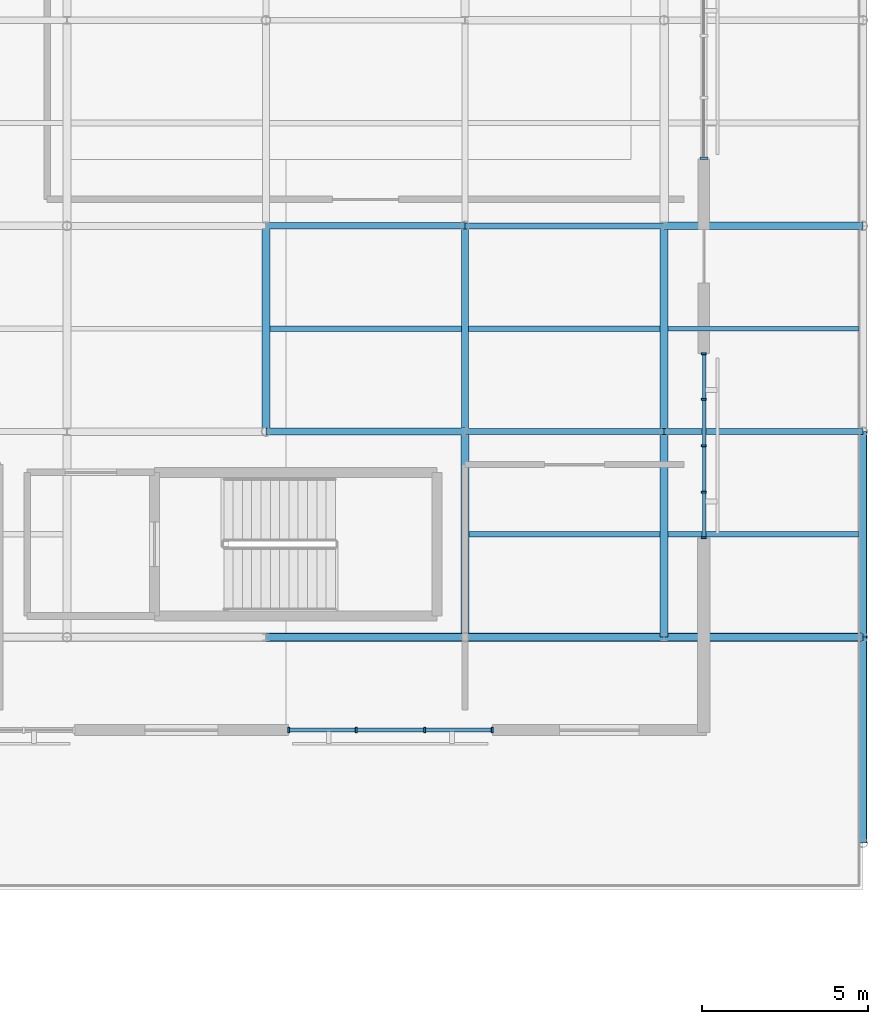
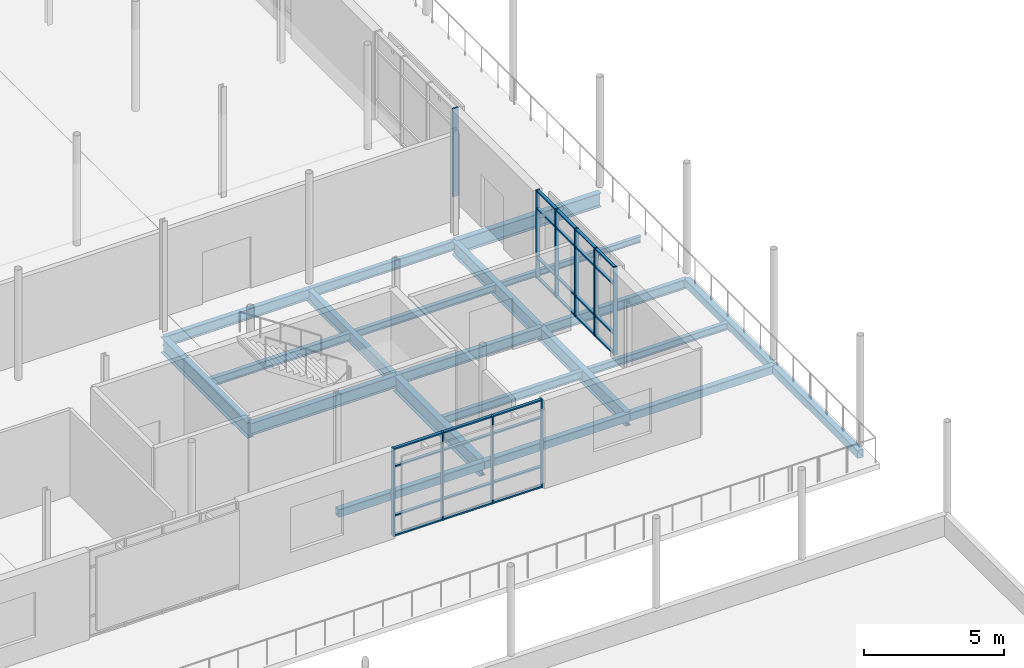
# One storey, part 35 of 66: 38 members, 21 beams, 3 elements without a shape of their own.
"""IFC4 building model written with IfcOpenShell, lengths in metres."""

from ifc_helpers import new_model, si_unit, direction, frame, origin, origin_2d, place, context, subcontext, project, spatial, rectangle, hollow_rectangle, i_section, extrude, material, layer, layer_set, material_profile, profile_set, type_object, element, aggregate, save


model = new_model("IFC4")

# Units and contexts
model_context = context("Model", 3, precision=1e-05, world=origin(), true_north=direction((0.0, 1.0)))
body_context = subcontext(model_context, "Body", "Model", "MODEL_VIEW")
ifc_project = project(units=[si_unit("LENGTHUNIT", "METRE"), si_unit("AREAUNIT", "SQUARE_METRE"), si_unit("VOLUMEUNIT", "CUBIC_METRE"), si_unit("PLANEANGLEUNIT", "RADIAN"), si_unit("MASSUNIT", "GRAM", prefix="KILO")], contexts=[model_context])

# Site, building, storey
site_placement = place(None, origin())
site = spatial("IfcSite", under=ifc_project, at=site_placement, CompositionType="ELEMENT")
building_placement = place(site_placement, origin())
building = spatial("IfcBuilding", under=site, at=building_placement, Name="Mirzam Square Science Centre", CompositionType="ELEMENT")
storey_placement = place(building_placement, frame((0.0, 0.0, 15.60009765625)))
storey = spatial("IfcBuildingStorey", under=building, at=storey_placement, Name="L03", CompositionType="ELEMENT", Elevation=15.60009765625)

# Beams
ifc_material_1 = material(Name="Steel S355", Category="steel")
ifc_material_profile_1 = material_profile(ifc_material_1, i_section(OverallWidth=0.1787109375, OverallDepth=0.409423828125, WebThickness=0.0087890625, FlangeThickness=0.014404296875, FilletRadius=0.01025390625, at=origin_2d()), Name="406x178x67UB")
ifc_profile_set_1 = profile_set([ifc_material_profile_1], Name="Steel S355")
beam_type_1 = type_object("IfcBeamType", Name="BM-UB406", PredefinedType="BEAM", material=ifc_profile_set_1)
for number, where, z_axis, x_axis, name in (
    (1, (156.0, 55.800048828125, -0.454833984375), (1.0, 0.0, 0.0), (0.0, 1.0, 0.0), "L03 girder X27-10"),
    (2, (150.0, 62.0, -0.454833984375), (1.0, 0.0, 0.0), (0.0, 1.0, 0.0), "L03 girder X26-11"),
):
    element("IfcBeam", number, at=place(storey_placement, frame(where, z_axis=z_axis, x_axis=x_axis)), inside=storey, type_object=beam_type_1, Name=name, PredefinedType="BEAM", context=body_context, shape_type="SweptSolid", body=[
        extrude(i_section(OverallWidth=0.1787109375, OverallDepth=0.409423828125, WebThickness=0.0087890625, FlangeThickness=0.014404296875, FilletRadius=0.01025390625, at=origin_2d()), origin(), (0.0, 0.0, 1.0), 6.0),
    ])
ifc_material_profile_2 = material_profile(ifc_material_1, i_section(OverallWidth=0.19140625, OverallDepth=0.4599609375, WebThickness=0.010009765625, FlangeThickness=0.01611328125, FilletRadius=0.01025390625, at=origin_2d()), Name="457x191x82UB")
ifc_profile_set_2 = profile_set([ifc_material_profile_2], Name="Steel S355")
beam_type_2 = type_object("IfcBeamType", Name="BM-UB457", PredefinedType="BEAM", material=ifc_profile_set_2)
for number, where, z_axis, x_axis, name in (
    (3, (150.0, 55.800048828125, -0.47998046875), (1.0, 0.0, 0.0), (0.0, 1.0, 0.0), "L03 girder X26-10"),
    (4, (144.0, 62.0, -0.47998046875), (1.0, 0.0, 0.0), (0.0, 1.0, 0.0), "L03 girder X25-11"),
):
    element("IfcBeam", number, at=place(storey_placement, frame(where, z_axis=z_axis, x_axis=x_axis)), inside=storey, type_object=beam_type_2, Name=name, PredefinedType="BEAM", context=body_context, shape_type="SweptSolid", body=[
        extrude(i_section(OverallWidth=0.19140625, OverallDepth=0.4599609375, WebThickness=0.010009765625, FlangeThickness=0.01611328125, FilletRadius=0.01025390625, at=origin_2d()), origin(), (0.0, 0.0, 1.0), 6.0),
    ])
ifc_material_profile_3 = material_profile(ifc_material_1, i_section(OverallWidth=0.2099609375, OverallDepth=0.53662109375, WebThickness=0.0107421875, FlangeThickness=0.017333984375, FilletRadius=0.0126953125, at=origin_2d()), Name="533x210x101UB")
ifc_profile_set_3 = profile_set([ifc_material_profile_3], Name="Steel S355")
beam_type_3 = type_object("IfcBeamType", Name="BM-UB533", PredefinedType="BEAM", material=ifc_profile_set_3)
beam_1_placement = place(storey_placement, frame((144.0, 55.800048828125, -0.5185546875), z_axis=(1.0, 0.0, 0.0), x_axis=(0.0, 1.0, 0.0)))
element("IfcBeam", 5, at=beam_1_placement, inside=storey, type_object=beam_type_3, Name="L03 girder X25-10", PredefinedType="BEAM", context=body_context, shape_type="SweptSolid", body=[
    extrude(i_section(OverallWidth=0.2099609375, OverallDepth=0.53662109375, WebThickness=0.0107421875, FlangeThickness=0.017333984375, FilletRadius=0.0126953125, at=origin_2d()), origin(), (0.0, 0.0, 1.0), 6.0),
])
beam_2_placement = place(storey_placement, frame((150.0, 55.800048828125, -0.5185546875), z_axis=(0.0, 1.0, 0.0), x_axis=(-1.0, 0.0, 0.0)))
element("IfcBeam", 6, at=beam_2_placement, inside=storey, type_object=beam_type_3, Name="L03 girder Y26-10", PredefinedType="BEAM", context=body_context, shape_type="SweptSolid", body=[
    extrude(i_section(OverallWidth=0.2099609375, OverallDepth=0.53662109375, WebThickness=0.0107421875, FlangeThickness=0.017333984375, FilletRadius=0.0126953125, at=origin_2d()), origin(), (0.0, 0.0, 1.0), 6.199951171875),
])
ifc_material_profile_4 = material_profile(ifc_material_1, i_section(OverallWidth=0.22900390625, OverallDepth=0.6123046875, WebThickness=0.011962890625, FlangeThickness=0.01953125, FilletRadius=0.0126953125, at=origin_2d()), Name="610x229x125UB")
ifc_profile_set_4 = profile_set([ifc_material_profile_4], Name="Steel S355")
beam_type_4 = type_object("IfcBeamType", Name="BM-UB610", PredefinedType="BEAM", material=ifc_profile_set_4)
beam_3_placement = place(storey_placement, frame((156.0, 62.0, -0.55615234375), z_axis=(1.0, 0.0, 0.0), x_axis=(0.0, 1.0, 0.0)))
element("IfcBeam", 7, at=beam_3_placement, inside=storey, type_object=beam_type_4, Name="L03 girder X27-11", PredefinedType="BEAM", context=body_context, shape_type="SweptSolid", body=[
    extrude(i_section(OverallWidth=0.22900390625, OverallDepth=0.6123046875, WebThickness=0.011962890625, FlangeThickness=0.01953125, FilletRadius=0.0126953125, at=origin_2d()), origin(), (0.0, 0.0, 1.0), 6.0),
])
for number, where, z_axis, x_axis, name in (
    (8, (156.0, 49.60009765625, -0.55615234375), (0.0, 1.0, 0.0), (-1.0, 0.0, 0.0), "L03 girder Y27-9"),
    (9, (156.0, 55.800048828125, -0.55615234375), (0.0, 1.0, 0.0), (-1.0, 0.0, 0.0), "L03 girder Y27-10"),
):
    element("IfcBeam", number, at=place(storey_placement, frame(where, z_axis=z_axis, x_axis=x_axis)), inside=storey, type_object=beam_type_4, Name=name, PredefinedType="BEAM", context=body_context, shape_type="SweptSolid", body=[
        extrude(i_section(OverallWidth=0.22900390625, OverallDepth=0.6123046875, WebThickness=0.011962890625, FlangeThickness=0.01953125, FilletRadius=0.0126953125, at=origin_2d()), origin(), (0.0, 0.0, 1.0), 6.199951171875),
    ])
ifc_material_profile_5 = material_profile(ifc_material_1, i_section(OverallWidth=0.25439453125, OverallDepth=0.6875, WebThickness=0.01318359375, FlangeThickness=0.02099609375, FilletRadius=0.01513671875, at=origin_2d()), Name="686x254x152UB")
ifc_profile_set_5 = profile_set([ifc_material_profile_5], Name="Steel S355")
beam_type_5 = type_object("IfcBeamType", Name="BM-UB686", PredefinedType="BEAM", material=ifc_profile_set_5)
for number, where, z_axis, x_axis, name in (
    (10, (144.0, 55.800048828125, -0.593994140625), (0.0, 1.0, 0.0), (-1.0, 0.0, 0.0), "L03 girder Y25-10"),
    (11, (150.0, 49.60009765625, -0.593994140625), (0.0, 1.0, 0.0), (-1.0, 0.0, 0.0), "L03 girder Y26-9"),
):
    element("IfcBeam", number, at=place(storey_placement, frame(where, z_axis=z_axis, x_axis=x_axis)), inside=storey, type_object=beam_type_5, Name=name, PredefinedType="BEAM", context=body_context, shape_type="SweptSolid", body=[
        extrude(i_section(OverallWidth=0.25439453125, OverallDepth=0.6875, WebThickness=0.01318359375, FlangeThickness=0.02099609375, FilletRadius=0.01513671875, at=origin_2d()), origin(), (0.0, 0.0, 1.0), 6.199951171875),
    ])

# Curtain wall, members
ifc_material_2 = material(Name="Anodised Aluminium and Low-E Solar Glass", Category="aluminium")
ifc_layer_1 = layer(ifc_material_2, 0.199951171875)
ifc_layer_set_1 = layer_set([ifc_layer_1], Name="CW-PARK-B")
curtain_wall_type_1 = type_object("IfcCurtainWallType", Name="CW-PARK-B", PredefinedType="USERDEFINED", material=ifc_layer_set_1)
curtain_wall_1_placement = place(storey_placement, origin())
curtain_wall_1 = element("IfcCurtainWall", 12, at=curtain_wall_1_placement, inside=storey, type_object=curtain_wall_type_1, Name="L03 unitised curtain wall 126", ObjectType="UNITISED CURTAIN WALL", PredefinedType="USERDEFINED")
ifc_material_3 = material(Name="Anodised Architectural Aluminium 6063-T6", Category="aluminium")
ifc_material_profile_6 = material_profile(ifc_material_3, rectangle(XDim=0.06005859375, YDim=0.159912109375, at=origin_2d()), Name="ALU-MULL-160x60x4")
ifc_profile_set_6 = profile_set([ifc_material_profile_6], Name="Anodised Architectural Aluminium 6063-T6")
member_type_1 = type_object("IfcMemberType", Name="CWM-160", PredefinedType="MULLION", material=ifc_profile_set_6)
member_1_placement = place(storey_placement, frame((144.68505859375, 46.800048828125, 0.0), z_axis=(0.0, 0.0, 1.0), x_axis=(1.0, 0.0, 0.0)))
member_1 = element("IfcMember", 13, at=member_1_placement, type_object=member_type_1, Name="CW-02 mullion 1", PredefinedType="MULLION", context=body_context, shape_type="SweptSolid", body=[
    extrude(rectangle(XDim=0.06005859375, YDim=0.159912109375, at=origin_2d()), origin(), (0.0, 0.0, 1.0), 3.83984375),
])
member_2_placement = place(storey_placement, frame((146.71826171875, 46.800048828125, 0.0), z_axis=(0.0, 0.0, 1.0), x_axis=(1.0, 0.0, 0.0)))
member_2 = element("IfcMember", 14, at=member_2_placement, type_object=member_type_1, Name="CW-02 mullion 2", PredefinedType="MULLION", context=body_context, shape_type="SweptSolid", body=[
    extrude(rectangle(XDim=0.06005859375, YDim=0.159912109375, at=origin_2d()), origin(), (0.0, 0.0, 1.0), 3.83984375),
])
member_3_placement = place(storey_placement, frame((148.78173828125, 46.800048828125, 0.0), z_axis=(0.0, 0.0, 1.0), x_axis=(1.0, 0.0, 0.0)))
member_3 = element("IfcMember", 15, at=member_3_placement, type_object=member_type_1, Name="CW-02 mullion 3", PredefinedType="MULLION", context=body_context, shape_type="SweptSolid", body=[
    extrude(rectangle(XDim=0.06005859375, YDim=0.159912109375, at=origin_2d()), origin(), (0.0, 0.0, 1.0), 3.83984375),
])
member_4_placement = place(storey_placement, frame((150.81494140625, 46.800048828125, 0.0), z_axis=(0.0, 0.0, 1.0), x_axis=(1.0, 0.0, 0.0)))
member_4 = element("IfcMember", 16, at=member_4_placement, type_object=member_type_1, Name="CW-02 mullion 4", PredefinedType="MULLION", context=body_context, shape_type="SweptSolid", body=[
    extrude(rectangle(XDim=0.06005859375, YDim=0.159912109375, at=origin_2d()), origin(), (0.0, 0.0, 1.0), 3.83984375),
])

ifc_layer_2 = layer(ifc_material_2, 0.159912109375)
ifc_layer_set_2 = layer_set([ifc_layer_2], Name="CW-COURT-B")
curtain_wall_type_2 = type_object("IfcCurtainWallType", Name="CW-COURT-B", PredefinedType="USERDEFINED", material=ifc_layer_set_2)
curtain_wall_2_placement = place(storey_placement, origin())
curtain_wall_2 = element("IfcCurtainWall", 17, at=curtain_wall_2_placement, inside=storey, type_object=curtain_wall_type_2, Name="L03 unitised curtain wall 127", ObjectType="UNITISED CURTAIN WALL", PredefinedType="USERDEFINED")
member_5_placement = place(storey_placement, frame((157.199951171875, 52.599365234375, 0.0), z_axis=(0.0, 0.0, 1.0), x_axis=(0.0, 1.0, 0.0)))
member_5 = element("IfcMember", 18, at=member_5_placement, type_object=member_type_1, Name="CW-04 mullion 1", PredefinedType="MULLION", context=body_context, shape_type="SweptSolid", body=[
    extrude(rectangle(XDim=0.06005859375, YDim=0.159912109375, at=origin_2d()), origin(), (0.0, 0.0, 1.0), 3.83984375),
])
member_6_placement = place(storey_placement, frame((157.199951171875, 53.970458984375, 0.0), z_axis=(0.0, 0.0, 1.0), x_axis=(0.0, 1.0, 0.0)))
member_6 = element("IfcMember", 19, at=member_6_placement, type_object=member_type_1, Name="CW-04 mullion 2", PredefinedType="MULLION", context=body_context, shape_type="SweptSolid", body=[
    extrude(rectangle(XDim=0.06005859375, YDim=0.159912109375, at=origin_2d()), origin(), (0.0, 0.0, 1.0), 3.83984375),
])
member_7_placement = place(storey_placement, frame((157.199951171875, 55.371337890625, 0.0), z_axis=(0.0, 0.0, 1.0), x_axis=(0.0, 1.0, 0.0)))
member_7 = element("IfcMember", 20, at=member_7_placement, type_object=member_type_1, Name="CW-04 mullion 3", PredefinedType="MULLION", context=body_context, shape_type="SweptSolid", body=[
    extrude(rectangle(XDim=0.06005859375, YDim=0.159912109375, at=origin_2d()), origin(), (0.0, 0.0, 1.0), 3.83984375),
])
member_8_placement = place(storey_placement, frame((157.199951171875, 56.7724609375, 0.0), z_axis=(0.0, 0.0, 1.0), x_axis=(0.0, 1.0, 0.0)))
member_8 = element("IfcMember", 21, at=member_8_placement, type_object=member_type_1, Name="CW-04 mullion 4", PredefinedType="MULLION", context=body_context, shape_type="SweptSolid", body=[
    extrude(rectangle(XDim=0.06005859375, YDim=0.159912109375, at=origin_2d()), origin(), (0.0, 0.0, 1.0), 3.83984375),
])
member_9_placement = place(storey_placement, frame((157.199951171875, 58.1435546875, 0.0), z_axis=(0.0, 0.0, 1.0), x_axis=(0.0, 1.0, 0.0)))
member_9 = element("IfcMember", 22, at=member_9_placement, type_object=member_type_1, Name="CW-04 mullion 5", PredefinedType="MULLION", context=body_context, shape_type="SweptSolid", body=[
    extrude(rectangle(XDim=0.06005859375, YDim=0.159912109375, at=origin_2d()), origin(), (0.0, 0.0, 1.0), 3.83984375),
])

# Curtain wall, member
ifc_layer_3 = layer(ifc_material_2, 0.239990234375)
ifc_layer_set_3 = layer_set([ifc_layer_3], Name="CW-EAST-B")
curtain_wall_type_3 = type_object("IfcCurtainWallType", Name="CW-EAST-B", PredefinedType="USERDEFINED", material=ifc_layer_set_3)
curtain_wall_3_placement = place(storey_placement, origin())
curtain_wall_3 = element("IfcCurtainWall", 23, at=curtain_wall_3_placement, inside=storey, type_object=curtain_wall_type_3, Name="L03 unitised curtain wall 128", ObjectType="UNITISED CURTAIN WALL", PredefinedType="USERDEFINED")
ifc_material_profile_7 = material_profile(ifc_material_3, rectangle(XDim=0.074951171875, YDim=0.239990234375, at=origin_2d()), Name="ALU-MULL-240x75x5")
ifc_profile_set_7 = profile_set([ifc_material_profile_7], Name="Anodised Architectural Aluminium 6063-T6")
member_type_2 = type_object("IfcMemberType", Name="CWM-240", PredefinedType="MULLION", material=ifc_profile_set_7)
member_10_placement = place(storey_placement, frame((157.199951171875, 64.035400390625, 0.0), z_axis=(0.0, 0.0, 1.0), x_axis=(0.0, 1.0, 0.0)))
member_10 = element("IfcMember", 24, at=member_10_placement, type_object=member_type_2, Name="CW-06 mullion 1", PredefinedType="MULLION", context=body_context, shape_type="SweptSolid", body=[
    extrude(rectangle(XDim=0.074951171875, YDim=0.239990234375, at=origin_2d()), origin(), (0.0, 0.0, 1.0), 3.83984375),
])
aggregate(curtain_wall_3, [member_10])

# Member
ifc_material_profile_8 = material_profile(ifc_material_3, rectangle(XDim=0.1201171875, YDim=0.06005859375, at=origin_2d()), Name="ALU-TRAN-120x60x4")
ifc_profile_set_8 = profile_set([ifc_material_profile_8], Name="Anodised Architectural Aluminium 6063-T6")
member_type_3 = type_object("IfcMemberType", Name="CWT-120", PredefinedType="USERDEFINED", material=ifc_profile_set_8)
member_11_placement = place(storey_placement, frame((144.715087890625, 46.800048828125, 0.02978515625), z_axis=(1.0, 0.0, 0.0), x_axis=(0.0, 1.0, 0.0)))
member_11 = element("IfcMember", 25, at=member_11_placement, type_object=member_type_3, Name="CW-02 transom 1.1", ObjectType="TRANSOM", PredefinedType="USERDEFINED", context=body_context, shape_type="SweptSolid", body=[
    extrude(rectangle(XDim=0.1201171875, YDim=0.06005859375, at=origin_2d()), origin(), (0.0, 0.0, 1.0), 1.97314453125),
])

member_12_placement = place(storey_placement, frame((144.715087890625, 46.800048828125, 0.89990234375), z_axis=(1.0, 0.0, 0.0), x_axis=(0.0, 1.0, 0.0)))
member_12 = element("IfcMember", 26, at=member_12_placement, type_object=member_type_3, Name="CW-02 transom 1.2", ObjectType="TRANSOM", PredefinedType="USERDEFINED", context=body_context, shape_type="SweptSolid", body=[
    extrude(rectangle(XDim=0.1201171875, YDim=0.06005859375, at=origin_2d()), origin(), (0.0, 0.0, 1.0), 1.97314453125),
])

member_13_placement = place(storey_placement, frame((144.715087890625, 46.800048828125, 3.039794921875), z_axis=(1.0, 0.0, 0.0), x_axis=(0.0, 1.0, 0.0)))
member_13 = element("IfcMember", 27, at=member_13_placement, type_object=member_type_3, Name="CW-02 transom 1.3", ObjectType="TRANSOM", PredefinedType="USERDEFINED", context=body_context, shape_type="SweptSolid", body=[
    extrude(rectangle(XDim=0.1201171875, YDim=0.06005859375, at=origin_2d()), origin(), (0.0, 0.0, 1.0), 1.97314453125),
])

member_14_placement = place(storey_placement, frame((144.715087890625, 46.800048828125, 3.809814453125), z_axis=(1.0, 0.0, 0.0), x_axis=(0.0, 1.0, 0.0)))
member_14 = element("IfcMember", 28, at=member_14_placement, type_object=member_type_3, Name="CW-02 transom 1.4", ObjectType="TRANSOM", PredefinedType="USERDEFINED", context=body_context, shape_type="SweptSolid", body=[
    extrude(rectangle(XDim=0.1201171875, YDim=0.06005859375, at=origin_2d()), origin(), (0.0, 0.0, 1.0), 1.97314453125),
])

member_15_placement = place(storey_placement, frame((146.748291015625, 46.800048828125, 0.02978515625), z_axis=(1.0, 0.0, 0.0), x_axis=(0.0, 1.0, 0.0)))
member_15 = element("IfcMember", 29, at=member_15_placement, type_object=member_type_3, Name="CW-02 transom 2.1", ObjectType="TRANSOM", PredefinedType="USERDEFINED", context=body_context, shape_type="SweptSolid", body=[
    extrude(rectangle(XDim=0.1201171875, YDim=0.06005859375, at=origin_2d()), origin(), (0.0, 0.0, 1.0), 2.00341796875),
])

member_16_placement = place(storey_placement, frame((146.748291015625, 46.800048828125, 0.89990234375), z_axis=(1.0, 0.0, 0.0), x_axis=(0.0, 1.0, 0.0)))
member_16 = element("IfcMember", 30, at=member_16_placement, type_object=member_type_3, Name="CW-02 transom 2.2", ObjectType="TRANSOM", PredefinedType="USERDEFINED", context=body_context, shape_type="SweptSolid", body=[
    extrude(rectangle(XDim=0.1201171875, YDim=0.06005859375, at=origin_2d()), origin(), (0.0, 0.0, 1.0), 2.00341796875),
])

member_17_placement = place(storey_placement, frame((146.748291015625, 46.800048828125, 3.039794921875), z_axis=(1.0, 0.0, 0.0), x_axis=(0.0, 1.0, 0.0)))
member_17 = element("IfcMember", 31, at=member_17_placement, type_object=member_type_3, Name="CW-02 transom 2.3", ObjectType="TRANSOM", PredefinedType="USERDEFINED", context=body_context, shape_type="SweptSolid", body=[
    extrude(rectangle(XDim=0.1201171875, YDim=0.06005859375, at=origin_2d()), origin(), (0.0, 0.0, 1.0), 2.00341796875),
])

member_18_placement = place(storey_placement, frame((146.748291015625, 46.800048828125, 3.809814453125), z_axis=(1.0, 0.0, 0.0), x_axis=(0.0, 1.0, 0.0)))
member_18 = element("IfcMember", 32, at=member_18_placement, type_object=member_type_3, Name="CW-02 transom 2.4", ObjectType="TRANSOM", PredefinedType="USERDEFINED", context=body_context, shape_type="SweptSolid", body=[
    extrude(rectangle(XDim=0.1201171875, YDim=0.06005859375, at=origin_2d()), origin(), (0.0, 0.0, 1.0), 2.00341796875),
])

member_19_placement = place(storey_placement, frame((148.811767578125, 46.800048828125, 0.02978515625), z_axis=(1.0, 0.0, 0.0), x_axis=(0.0, 1.0, 0.0)))
member_19 = element("IfcMember", 33, at=member_19_placement, type_object=member_type_3, Name="CW-02 transom 3.1", ObjectType="TRANSOM", PredefinedType="USERDEFINED", context=body_context, shape_type="SweptSolid", body=[
    extrude(rectangle(XDim=0.1201171875, YDim=0.06005859375, at=origin_2d()), origin(), (0.0, 0.0, 1.0), 1.97314453125),
])

member_20_placement = place(storey_placement, frame((148.811767578125, 46.800048828125, 0.89990234375), z_axis=(1.0, 0.0, 0.0), x_axis=(0.0, 1.0, 0.0)))
member_20 = element("IfcMember", 34, at=member_20_placement, type_object=member_type_3, Name="CW-02 transom 3.2", ObjectType="TRANSOM", PredefinedType="USERDEFINED", context=body_context, shape_type="SweptSolid", body=[
    extrude(rectangle(XDim=0.1201171875, YDim=0.06005859375, at=origin_2d()), origin(), (0.0, 0.0, 1.0), 1.97314453125),
])

member_21_placement = place(storey_placement, frame((148.811767578125, 46.800048828125, 3.039794921875), z_axis=(1.0, 0.0, 0.0), x_axis=(0.0, 1.0, 0.0)))
member_21 = element("IfcMember", 35, at=member_21_placement, type_object=member_type_3, Name="CW-02 transom 3.3", ObjectType="TRANSOM", PredefinedType="USERDEFINED", context=body_context, shape_type="SweptSolid", body=[
    extrude(rectangle(XDim=0.1201171875, YDim=0.06005859375, at=origin_2d()), origin(), (0.0, 0.0, 1.0), 1.97314453125),
])

member_22_placement = place(storey_placement, frame((148.811767578125, 46.800048828125, 3.809814453125), z_axis=(1.0, 0.0, 0.0), x_axis=(0.0, 1.0, 0.0)))
member_22 = element("IfcMember", 36, at=member_22_placement, type_object=member_type_3, Name="CW-02 transom 3.4", ObjectType="TRANSOM", PredefinedType="USERDEFINED", context=body_context, shape_type="SweptSolid", body=[
    extrude(rectangle(XDim=0.1201171875, YDim=0.06005859375, at=origin_2d()), origin(), (0.0, 0.0, 1.0), 1.97314453125),
])

aggregate(curtain_wall_1, [member_1, member_2, member_3, member_4, member_11, member_12, member_13, member_14, member_15, member_16, member_17, member_18, member_19, member_20, member_21, member_22])

member_23_placement = place(storey_placement, frame((157.199951171875, 52.62939453125, 0.02978515625), z_axis=(0.0, 1.0, 0.0), x_axis=(-1.0, 0.0, 0.0)))
member_23 = element("IfcMember", 37, at=member_23_placement, type_object=member_type_3, Name="CW-04 transom 1.1", ObjectType="TRANSOM", PredefinedType="USERDEFINED", context=body_context, shape_type="SweptSolid", body=[
    extrude(rectangle(XDim=0.1201171875, YDim=0.06005859375, at=origin_2d()), origin(), (0.0, 0.0, 1.0), 1.31103515625),
])

member_24_placement = place(storey_placement, frame((157.199951171875, 52.62939453125, 0.89990234375), z_axis=(0.0, 1.0, 0.0), x_axis=(-1.0, 0.0, 0.0)))
member_24 = element("IfcMember", 38, at=member_24_placement, type_object=member_type_3, Name="CW-04 transom 1.2", ObjectType="TRANSOM", PredefinedType="USERDEFINED", context=body_context, shape_type="SweptSolid", body=[
    extrude(rectangle(XDim=0.1201171875, YDim=0.06005859375, at=origin_2d()), origin(), (0.0, 0.0, 1.0), 1.31103515625),
])

member_25_placement = place(storey_placement, frame((157.199951171875, 52.62939453125, 3.039794921875), z_axis=(0.0, 1.0, 0.0), x_axis=(-1.0, 0.0, 0.0)))
member_25 = element("IfcMember", 39, at=member_25_placement, type_object=member_type_3, Name="CW-04 transom 1.3", ObjectType="TRANSOM", PredefinedType="USERDEFINED", context=body_context, shape_type="SweptSolid", body=[
    extrude(rectangle(XDim=0.1201171875, YDim=0.06005859375, at=origin_2d()), origin(), (0.0, 0.0, 1.0), 1.31103515625),
])

member_26_placement = place(storey_placement, frame((157.199951171875, 52.62939453125, 3.809814453125), z_axis=(0.0, 1.0, 0.0), x_axis=(-1.0, 0.0, 0.0)))
member_26 = element("IfcMember", 40, at=member_26_placement, type_object=member_type_3, Name="CW-04 transom 1.4", ObjectType="TRANSOM", PredefinedType="USERDEFINED", context=body_context, shape_type="SweptSolid", body=[
    extrude(rectangle(XDim=0.1201171875, YDim=0.06005859375, at=origin_2d()), origin(), (0.0, 0.0, 1.0), 1.31103515625),
])

member_27_placement = place(storey_placement, frame((157.199951171875, 54.00048828125, 0.02978515625), z_axis=(0.0, 1.0, 0.0), x_axis=(-1.0, 0.0, 0.0)))
member_27 = element("IfcMember", 41, at=member_27_placement, type_object=member_type_3, Name="CW-04 transom 2.1", ObjectType="TRANSOM", PredefinedType="USERDEFINED", context=body_context, shape_type="SweptSolid", body=[
    extrude(rectangle(XDim=0.1201171875, YDim=0.06005859375, at=origin_2d()), origin(), (0.0, 0.0, 1.0), 1.341064453125),
])

member_28_placement = place(storey_placement, frame((157.199951171875, 54.00048828125, 0.89990234375), z_axis=(0.0, 1.0, 0.0), x_axis=(-1.0, 0.0, 0.0)))
member_28 = element("IfcMember", 42, at=member_28_placement, type_object=member_type_3, Name="CW-04 transom 2.2", ObjectType="TRANSOM", PredefinedType="USERDEFINED", context=body_context, shape_type="SweptSolid", body=[
    extrude(rectangle(XDim=0.1201171875, YDim=0.06005859375, at=origin_2d()), origin(), (0.0, 0.0, 1.0), 1.341064453125),
])

member_29_placement = place(storey_placement, frame((157.199951171875, 54.00048828125, 3.039794921875), z_axis=(0.0, 1.0, 0.0), x_axis=(-1.0, 0.0, 0.0)))
member_29 = element("IfcMember", 43, at=member_29_placement, type_object=member_type_3, Name="CW-04 transom 2.3", ObjectType="TRANSOM", PredefinedType="USERDEFINED", context=body_context, shape_type="SweptSolid", body=[
    extrude(rectangle(XDim=0.1201171875, YDim=0.06005859375, at=origin_2d()), origin(), (0.0, 0.0, 1.0), 1.341064453125),
])

member_30_placement = place(storey_placement, frame((157.199951171875, 54.00048828125, 3.809814453125), z_axis=(0.0, 1.0, 0.0), x_axis=(-1.0, 0.0, 0.0)))
member_30 = element("IfcMember", 44, at=member_30_placement, type_object=member_type_3, Name="CW-04 transom 2.4", ObjectType="TRANSOM", PredefinedType="USERDEFINED", context=body_context, shape_type="SweptSolid", body=[
    extrude(rectangle(XDim=0.1201171875, YDim=0.06005859375, at=origin_2d()), origin(), (0.0, 0.0, 1.0), 1.341064453125),
])

member_31_placement = place(storey_placement, frame((157.199951171875, 55.4013671875, 0.02978515625), z_axis=(0.0, 1.0, 0.0), x_axis=(-1.0, 0.0, 0.0)))
member_31 = element("IfcMember", 45, at=member_31_placement, type_object=member_type_3, Name="CW-04 transom 3.1", ObjectType="TRANSOM", PredefinedType="USERDEFINED", context=body_context, shape_type="SweptSolid", body=[
    extrude(rectangle(XDim=0.1201171875, YDim=0.06005859375, at=origin_2d()), origin(), (0.0, 0.0, 1.0), 1.341064453125),
])

member_32_placement = place(storey_placement, frame((157.199951171875, 55.4013671875, 0.89990234375), z_axis=(0.0, 1.0, 0.0), x_axis=(-1.0, 0.0, 0.0)))
member_32 = element("IfcMember", 46, at=member_32_placement, type_object=member_type_3, Name="CW-04 transom 3.2", ObjectType="TRANSOM", PredefinedType="USERDEFINED", context=body_context, shape_type="SweptSolid", body=[
    extrude(rectangle(XDim=0.1201171875, YDim=0.06005859375, at=origin_2d()), origin(), (0.0, 0.0, 1.0), 1.341064453125),
])

member_33_placement = place(storey_placement, frame((157.199951171875, 55.4013671875, 3.039794921875), z_axis=(0.0, 1.0, 0.0), x_axis=(-1.0, 0.0, 0.0)))
member_33 = element("IfcMember", 47, at=member_33_placement, type_object=member_type_3, Name="CW-04 transom 3.3", ObjectType="TRANSOM", PredefinedType="USERDEFINED", context=body_context, shape_type="SweptSolid", body=[
    extrude(rectangle(XDim=0.1201171875, YDim=0.06005859375, at=origin_2d()), origin(), (0.0, 0.0, 1.0), 1.341064453125),
])

member_34_placement = place(storey_placement, frame((157.199951171875, 55.4013671875, 3.809814453125), z_axis=(0.0, 1.0, 0.0), x_axis=(-1.0, 0.0, 0.0)))
member_34 = element("IfcMember", 48, at=member_34_placement, type_object=member_type_3, Name="CW-04 transom 3.4", ObjectType="TRANSOM", PredefinedType="USERDEFINED", context=body_context, shape_type="SweptSolid", body=[
    extrude(rectangle(XDim=0.1201171875, YDim=0.06005859375, at=origin_2d()), origin(), (0.0, 0.0, 1.0), 1.341064453125),
])

member_35_placement = place(storey_placement, frame((157.199951171875, 56.802490234375, 0.02978515625), z_axis=(0.0, 1.0, 0.0), x_axis=(-1.0, 0.0, 0.0)))
member_35 = element("IfcMember", 49, at=member_35_placement, type_object=member_type_3, Name="CW-04 transom 4.1", ObjectType="TRANSOM", PredefinedType="USERDEFINED", context=body_context, shape_type="SweptSolid", body=[
    extrude(rectangle(XDim=0.1201171875, YDim=0.06005859375, at=origin_2d()), origin(), (0.0, 0.0, 1.0), 1.31103515625),
])

member_36_placement = place(storey_placement, frame((157.199951171875, 56.802490234375, 0.89990234375), z_axis=(0.0, 1.0, 0.0), x_axis=(-1.0, 0.0, 0.0)))
member_36 = element("IfcMember", 50, at=member_36_placement, type_object=member_type_3, Name="CW-04 transom 4.2", ObjectType="TRANSOM", PredefinedType="USERDEFINED", context=body_context, shape_type="SweptSolid", body=[
    extrude(rectangle(XDim=0.1201171875, YDim=0.06005859375, at=origin_2d()), origin(), (0.0, 0.0, 1.0), 1.31103515625),
])

member_37_placement = place(storey_placement, frame((157.199951171875, 56.802490234375, 3.039794921875), z_axis=(0.0, 1.0, 0.0), x_axis=(-1.0, 0.0, 0.0)))
member_37 = element("IfcMember", 51, at=member_37_placement, type_object=member_type_3, Name="CW-04 transom 4.3", ObjectType="TRANSOM", PredefinedType="USERDEFINED", context=body_context, shape_type="SweptSolid", body=[
    extrude(rectangle(XDim=0.1201171875, YDim=0.06005859375, at=origin_2d()), origin(), (0.0, 0.0, 1.0), 1.31103515625),
])

member_38_placement = place(storey_placement, frame((157.199951171875, 56.802490234375, 3.809814453125), z_axis=(0.0, 1.0, 0.0), x_axis=(-1.0, 0.0, 0.0)))
member_38 = element("IfcMember", 52, at=member_38_placement, type_object=member_type_3, Name="CW-04 transom 4.4", ObjectType="TRANSOM", PredefinedType="USERDEFINED", context=body_context, shape_type="SweptSolid", body=[
    extrude(rectangle(XDim=0.1201171875, YDim=0.06005859375, at=origin_2d()), origin(), (0.0, 0.0, 1.0), 1.31103515625),
])

aggregate(curtain_wall_2, [member_5, member_6, member_7, member_8, member_9, member_23, member_24, member_25, member_26, member_27, member_28, member_29, member_30, member_31, member_32, member_33, member_34, member_35, member_36, member_37, member_38])

# Beams
ifc_material_profile_9 = material_profile(ifc_material_1, i_section(OverallWidth=0.146484375, OverallDepth=0.256103515625, WebThickness=0.00634765625, FlangeThickness=0.010986328125, FilletRadius=0.007568359375, at=origin_2d()), Name="254x146x37UB")
ifc_profile_set_9 = profile_set([ifc_material_profile_9], Name="Steel S355")
beam_type_6 = type_object("IfcBeamType", Name="JS-UB254", PredefinedType="JOIST", material=ifc_profile_set_9)
beam_4_placement = place(storey_placement, frame((156.114501953125, 58.89990234375, -0.378173828125), z_axis=(1.0, 0.0, 0.0), x_axis=(0.0, 1.0, 0.0)))
element("IfcBeam", 53, at=beam_4_placement, inside=storey, type_object=beam_type_6, Name="L03 composite joist 27-10", PredefinedType="JOIST", context=body_context, shape_type="SweptSolid", body=[
    extrude(i_section(OverallWidth=0.146484375, OverallDepth=0.256103515625, WebThickness=0.00634765625, FlangeThickness=0.010986328125, FilletRadius=0.007568359375, at=origin_2d()), origin(), (0.0, 0.0, 1.0), 5.760498046875),
])
ifc_material_profile_10 = material_profile(ifc_material_1, i_section(OverallWidth=0.165771484375, OverallDepth=0.306640625, WebThickness=0.006591796875, FlangeThickness=0.01171875, FilletRadius=0.0087890625, at=origin_2d()), Name="305x165x46UB")
ifc_profile_set_10 = profile_set([ifc_material_profile_10], Name="Steel S355")
beam_type_7 = type_object("IfcBeamType", Name="JS-UB305", PredefinedType="JOIST", material=ifc_profile_set_10)
beam_5_placement = place(storey_placement, frame((150.10498046875, 58.89990234375, -0.4033203125), z_axis=(1.0, 0.0, 0.0), x_axis=(0.0, 1.0, 0.0)))
element("IfcBeam", 54, at=beam_5_placement, inside=storey, type_object=beam_type_7, Name="L03 composite joist 26-10", PredefinedType="JOIST", context=body_context, shape_type="SweptSolid", body=[
    extrude(i_section(OverallWidth=0.165771484375, OverallDepth=0.306640625, WebThickness=0.006591796875, FlangeThickness=0.01171875, FilletRadius=0.0087890625, at=origin_2d()), origin(), (0.0, 0.0, 1.0), 5.780517578125),
])
beam_6_placement = place(storey_placement, frame((156.114501953125, 52.699951171875, -0.4033203125), z_axis=(1.0, 0.0, 0.0), x_axis=(0.0, 1.0, 0.0)))
element("IfcBeam", 55, at=beam_6_placement, inside=storey, type_object=beam_type_7, Name="L03 composite joist 27-9", PredefinedType="JOIST", context=body_context, shape_type="SweptSolid", body=[
    extrude(i_section(OverallWidth=0.165771484375, OverallDepth=0.306640625, WebThickness=0.006591796875, FlangeThickness=0.01171875, FilletRadius=0.0087890625, at=origin_2d()), origin(), (0.0, 0.0, 1.0), 5.760498046875),
])
ifc_material_profile_11 = material_profile(ifc_material_1, i_section(OverallWidth=0.172119140625, OverallDepth=0.35791015625, WebThickness=0.008056640625, FlangeThickness=0.012939453125, FilletRadius=0.01025390625, at=origin_2d()), Name="356x171x57UB")
ifc_profile_set_11 = profile_set([ifc_material_profile_11], Name="Steel S355")
beam_type_8 = type_object("IfcBeamType", Name="JS-UB356", PredefinedType="JOIST", material=ifc_profile_set_11)
beam_7_placement = place(storey_placement, frame((144.127197265625, 58.89990234375, -0.42919921875), z_axis=(1.0, 0.0, 0.0), x_axis=(0.0, 1.0, 0.0)))
element("IfcBeam", 56, at=beam_7_placement, inside=storey, type_object=beam_type_8, Name="L03 composite joist 25-10", PredefinedType="JOIST", context=body_context, shape_type="SweptSolid", body=[
    extrude(i_section(OverallWidth=0.172119140625, OverallDepth=0.35791015625, WebThickness=0.008056640625, FlangeThickness=0.012939453125, FilletRadius=0.01025390625, at=origin_2d()), origin(), (0.0, 0.0, 1.0), 5.767822265625),
])
beam_8_placement = place(storey_placement, frame((150.127197265625, 52.699951171875, -0.42919921875), z_axis=(1.0, 0.0, 0.0), x_axis=(0.0, 1.0, 0.0)))
element("IfcBeam", 57, at=beam_8_placement, inside=storey, type_object=beam_type_8, Name="L03 composite joist 26-9", PredefinedType="JOIST", context=body_context, shape_type="SweptSolid", body=[
    extrude(i_section(OverallWidth=0.172119140625, OverallDepth=0.35791015625, WebThickness=0.008056640625, FlangeThickness=0.012939453125, FilletRadius=0.01025390625, at=origin_2d()), origin(), (0.0, 0.0, 1.0), 5.75830078125),
])
ifc_material_profile_12 = material_profile(ifc_material_1, hollow_rectangle(XDim=0.25, YDim=0.35009765625, WallThickness=0.012451171875, InnerFilletRadius=0.012451171875, OuterFilletRadius=0.02490234375, at=origin_2d()), Name="350x250x12.5RHS")
ifc_profile_set_12 = profile_set([ifc_material_profile_12], Name="Steel S355")
beam_type_9 = type_object("IfcBeamType", Name="SP-RHS350", PredefinedType="SPANDREL", material=ifc_profile_set_12)
for number, where, z_axis, x_axis, name in (
    (58, (144.0, 49.60009765625, -0.425048828125), (1.0, 0.0, 0.0), (0.0, 1.0, 0.0), "L03 girder X25-9"),
    (59, (150.0, 49.60009765625, -0.425048828125), (1.0, 0.0, 0.0), (0.0, 1.0, 0.0), "L03 girder X26-9"),
    (60, (156.0, 49.60009765625, -0.425048828125), (1.0, 0.0, 0.0), (0.0, 1.0, 0.0), "L03 girder X27-9"),
):
    element("IfcBeam", number, at=place(storey_placement, frame(where, z_axis=z_axis, x_axis=x_axis)), inside=storey, type_object=beam_type_9, Name=name, PredefinedType="SPANDREL", context=body_context, shape_type="SweptSolid", body=[
        extrude(hollow_rectangle(XDim=0.25, YDim=0.35009765625, WallThickness=0.012451171875, InnerFilletRadius=0.012451171875, OuterFilletRadius=0.02490234375, at=origin_2d()), origin(), (0.0, 0.0, 1.0), 6.0),
    ])
beam_9_placement = place(storey_placement, frame((162.0, 43.39990234375, -0.425048828125), z_axis=(0.0, 1.0, 0.0), x_axis=(-1.0, 0.0, 0.0)))
element("IfcBeam", 61, at=beam_9_placement, inside=storey, type_object=beam_type_9, Name="L03 girder Y28-8", PredefinedType="SPANDREL", context=body_context, shape_type="SweptSolid", body=[
    extrude(hollow_rectangle(XDim=0.25, YDim=0.35009765625, WallThickness=0.012451171875, InnerFilletRadius=0.012451171875, OuterFilletRadius=0.02490234375, at=origin_2d()), origin(), (0.0, 0.0, 1.0), 6.2001953125),
])
beam_10_placement = place(storey_placement, frame((162.0, 49.60009765625, -0.425048828125), z_axis=(0.0, 1.0, 0.0), x_axis=(-1.0, 0.0, 0.0)))
element("IfcBeam", 62, at=beam_10_placement, inside=storey, type_object=beam_type_9, Name="L03 girder Y28-9", PredefinedType="SPANDREL", context=body_context, shape_type="SweptSolid", body=[
    extrude(hollow_rectangle(XDim=0.25, YDim=0.35009765625, WallThickness=0.012451171875, InnerFilletRadius=0.012451171875, OuterFilletRadius=0.02490234375, at=origin_2d()), origin(), (0.0, 0.0, 1.0), 6.199951171875),
])

save(model, "model.ifc")
